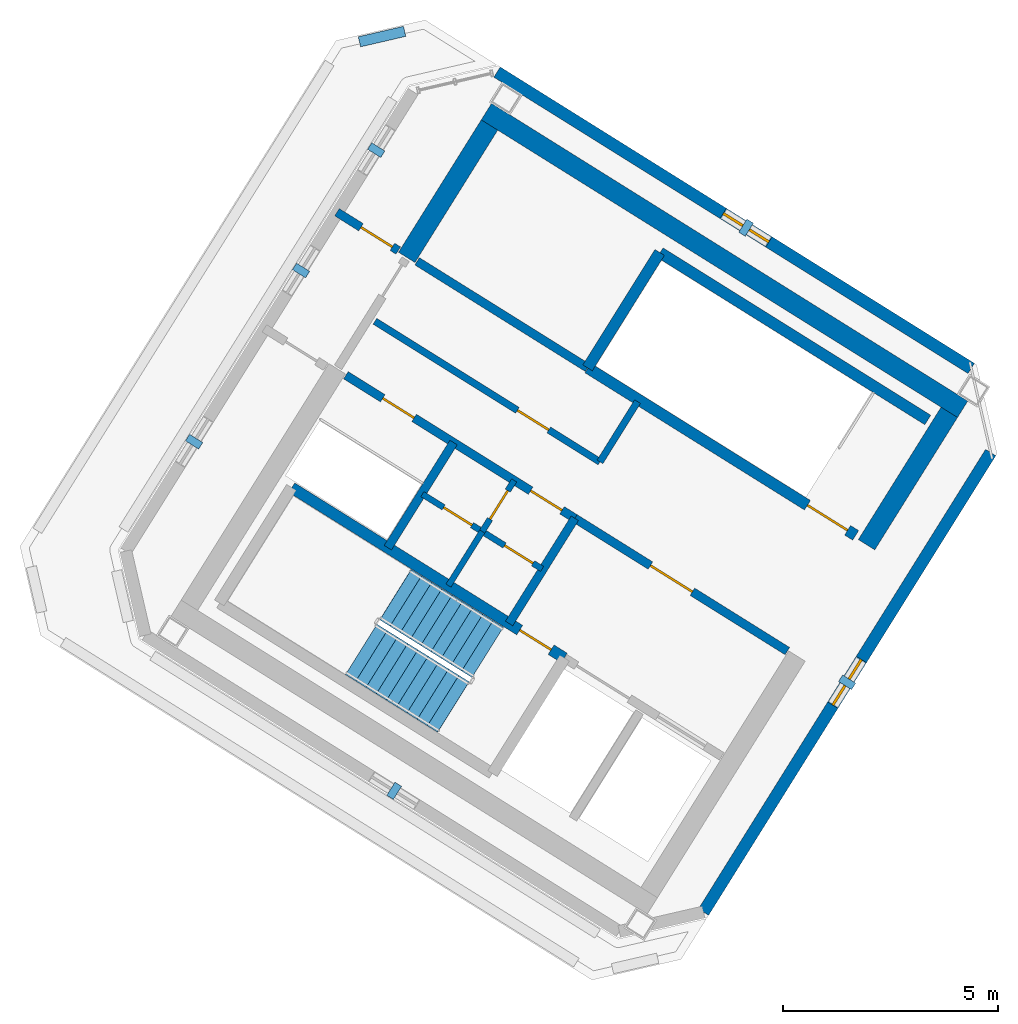
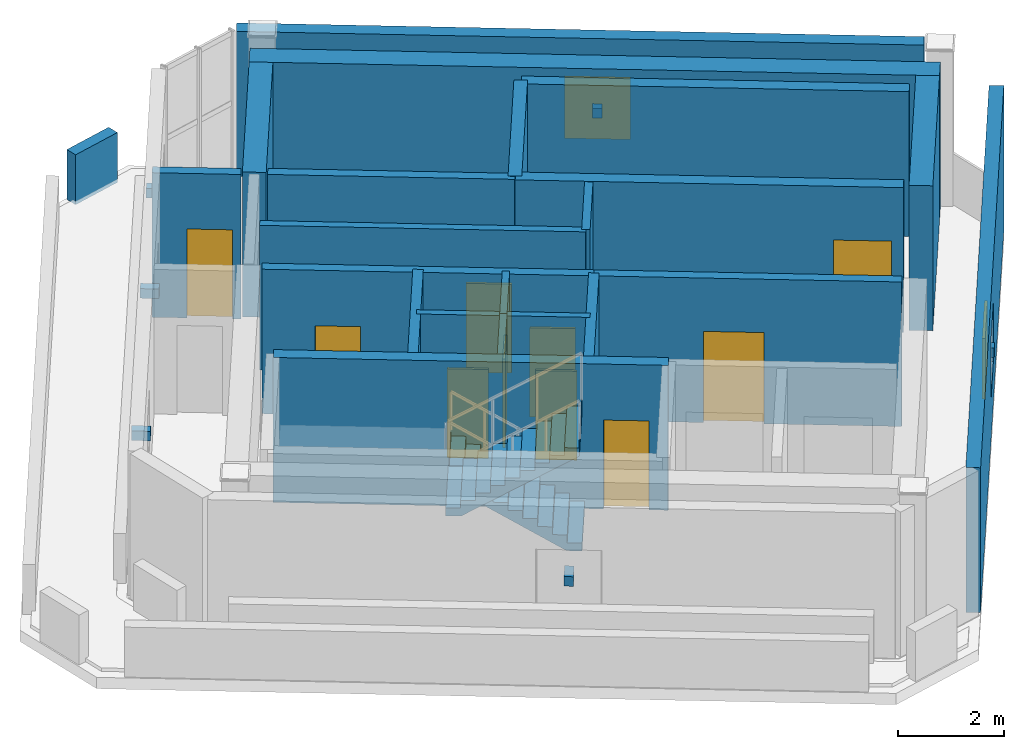
# One storey, part 4 of 5: 21 walls, 10 doors, 6 discrete accessories, 2 stair flights, 2 windows, 12 openings, 1 element without a shape of its own.
"""IFC4 building model written with IfcOpenShell, lengths in metres."""

from ifc_helpers import new_model, si_unit, direction, frame, frame_2d, origin, origin_2d, place, context, subcontext, project, spatial, polyline, rectangle, outline, extrude, source, transform, mapped, material, layer, layer_set, type_object, element, fill, aggregate, save


model = new_model("IFC4")

# Units and contexts
model_context = context("Model", 3, precision=1e-05, world=origin(), true_north=direction((0.0, 1.0)))
body_context = subcontext(model_context, "Body", "Model", "MODEL_VIEW")
ifc_project = project(units=[si_unit("LENGTHUNIT", "METRE"), si_unit("AREAUNIT", "SQUARE_METRE"), si_unit("VOLUMEUNIT", "CUBIC_METRE"), si_unit("PLANEANGLEUNIT", "RADIAN"), si_unit("MASSUNIT", "GRAM", prefix="KILO")], contexts=[model_context])

# Site, building, storey
site_placement = place(None, origin())
site = spatial("IfcSite", under=ifc_project, at=site_placement, CompositionType="ELEMENT")
building_placement = place(site_placement, origin())
building = spatial("IfcBuilding", under=site, at=building_placement, Name="Tlacorven Tower", CompositionType="ELEMENT")
storey_placement = place(building_placement, frame((0.0, 0.0, 316.800048828125)))
storey = spatial("IfcBuildingStorey", under=building, at=storey_placement, Name="L81", CompositionType="ELEMENT", Elevation=316.800048828125)

# Walls
ifc_material_1 = material(Name="Concrete C50/60", Category="concrete")
ifc_layer_1 = layer(ifc_material_1, 0.449951171875)
ifc_layer_set_1 = layer_set([ifc_layer_1], Name="Concrete C50/60")
wall_type_1 = type_object("IfcWallType", Name="WL-COR-450", PredefinedType="SHEAR", material=ifc_layer_set_1)
wall_1_placement = place(storey_placement, frame((40.53076171875, 24.036376953125, 0.0), z_axis=(0.0, 0.0, 1.0), x_axis=(-0.848048787466, 0.529918157905, 0.0)))
element("IfcWall", 1, at=wall_1_placement, inside=storey, type_object=wall_type_1, Name="L81 W core shear wall S1", PredefinedType="SHEAR", context=body_context, shape_type="SweptSolid", body=[
    extrude(rectangle(XDim=13.0400390625, YDim=0.449951171875, at=frame_2d((6.52001953125, 0.0))), origin(), (0.0, 0.0, 1.0), 3.33984375),
])
for number, where, z_axis, x_axis, name in (
    (2, (40.220703125, 23.96484375, 0.0), (0.0, 0.0, 1.0), (-0.529902075036, -0.848058836916, 0.0), "L81 W core end wall E1.1"),
    (3, (29.543701171875, 30.636474609375, 0.0), (0.0, 0.0, 1.0), (-0.529902075036, -0.848058836916, 0.0), "L81 W core end wall E2.1"),
):
    element("IfcWall", number, at=place(storey_placement, frame(where, z_axis=z_axis, x_axis=x_axis)), inside=storey, type_object=wall_type_1, Name=name, PredefinedType="SHEAR", context=body_context, shape_type="SweptSolid", body=[
        extrude(rectangle(XDim=3.625, YDim=0.449951171875, at=frame_2d((1.8125, 0.0))), origin(), (0.0, 0.0, 1.0), 3.33984375),
    ])

# Wall, opening, door
ifc_material_2 = material(Name="Gypsum plasterboard acoustic partition", Category="gypsum")
ifc_layer_2 = layer(ifc_material_2, 0.159912109375)
ifc_layer_set_2 = layer_set([ifc_layer_2], Name="Gypsum plasterboard acoustic partition")
wall_type_2 = type_object("IfcWallType", Name="WL-DEM-160", PredefinedType="PARTITIONING", material=ifc_layer_set_2)
wall_2_placement = place(storey_placement, frame((32.108154296875, 22.81396484375, 0.0), z_axis=(0.0, 0.0, 1.0), x_axis=(-0.848047283855, 0.529920564185, 0.0)))
wall_2 = element("IfcWall", 4, at=wall_2_placement, inside=storey, type_object=wall_type_2, Name="L81 partition 11", PredefinedType="PARTITIONING", context=body_context, shape_type="SweptSolid", body=[
    extrude(rectangle(XDim=6.16015625, YDim=0.159912109375, at=frame_2d((3.080078125, 0.0))), origin(), (0.0, 0.0, 1.0), 3.329833984375),
])
opening_1_placement = place(wall_2_placement, frame((1.39990234375, 0.0, 0.0)))
opening_1 = element("IfcOpeningElement", 5, at=opening_1_placement, cuts=wall_2, Name="Opening D19", PredefinedType="OPENING", context=body_context, shape_type="SweptSolid", body=[
    extrude(rectangle(XDim=0.860107421875, YDim=2.050048828125, at=frame_2d((0.43017578125, 1.02490234375))), frame((0.0, 0.08984375, 0.0), z_axis=(0.0, -1.0, 0.0), x_axis=(1.0, 0.0, 0.0)), (0.0, 0.0, 1.0), 0.179931640625),
])
ifc_material_3 = material(Name="Fire-rated steel door assembly", Category="steel")
door_type_1 = type_object("IfcDoorType", Name="DR-RSR-FD60-0860", OperationType="NOTDEFINED", PredefinedType="DOOR", material=ifc_material_3)
shared_shape_1 = source(origin(), body_context, "Body", "SweptSolid", [
    extrude(rectangle(XDim=0.860107421875, YDim=2.050048828125, at=frame_2d((0.43017578125, 1.02490234375))), frame((0.0, 0.02490234375, 0.0), z_axis=(0.0, -1.0, 0.0), x_axis=(1.0, 0.0, 0.0)), (0.0, 0.0, 1.0), 0.050048828125),
])
door_1_placement = place(opening_1_placement, origin())
door_1 = element("IfcDoor", 6, at=door_1_placement, inside=storey, type_object=door_type_1, Name="L81 Freed Core Store Door", OperationType="SINGLE_SWING_RIGHT", OverallHeight=2.050048828125, OverallWidth=0.860107421875, PredefinedType="DOOR", context=body_context, shape_type="MappedRepresentation", body=[
    mapped(shared_shape_1, transform((0.0, 0.0, 0.0), scale=1.0)),
])
fill(opening_1, door_1)

# Wall
wall_3_placement = place(storey_placement, frame((32.982421875, 24.21337890625, 0.0), z_axis=(0.0, 0.0, 1.0), x_axis=(-0.529839334948, -0.84809803628, 0.0)))
element("IfcWall", 7, at=wall_3_placement, inside=storey, type_object=wall_type_2, Name="L81 partition 12", PredefinedType="PARTITIONING", context=body_context, shape_type="SweptSolid", body=[
    extrude(rectangle(XDim=1.650146484375, YDim=0.159912109375, at=frame_2d((0.8251953125, 0.0))), origin(), (0.0, 0.0, 1.0), 3.329833984375),
])

# Wall, opening, window
ifc_material_4 = material(Name="Precast concrete C45/55", Category="concrete")
ifc_layer_3 = layer(ifc_material_4, 0.280029296875)
ifc_layer_set_3 = layer_set([ifc_layer_3], Name="Precast concrete C45/55")
wall_type_3 = type_object("IfcWallType", Name="WL-EXT-280", PredefinedType="STANDARD", material=ifc_layer_set_3)
wall_4_placement = place(storey_placement, frame((41.181640625, 23.03076171875, 0.0), z_axis=(0.0, 0.0, 1.0), x_axis=(-0.529915230318, -0.848050616813, 0.0)))
wall_4 = element("IfcWall", 8, at=wall_4_placement, inside=storey, type_object=wall_type_3, Name="L81 Masonry-Frame Recessed Facade Wall 1", PredefinedType="STANDARD", context=body_context, shape_type="SweptSolid", body=[
    extrude(rectangle(XDim=12.583984375, YDim=0.280029296875, at=frame_2d((6.2919921875, 0.0))), origin(), (0.0, 0.0, 1.0), 3.33984375),
])
opening_2_placement = place(wall_4_placement, frame((5.6669921875, 0.0, 0.949951171875)))
opening_2 = element("IfcOpeningElement", 9, at=opening_2_placement, cuts=wall_4, Name="Opening WN20", PredefinedType="OPENING", context=body_context, shape_type="SweptSolid", body=[
    extrude(rectangle(XDim=1.25, YDim=1.39990234375, at=frame_2d((0.625, 0.699951171875))), frame((0.0, 0.14990234375, 0.0), z_axis=(0.0, -1.0, 0.0), x_axis=(1.0, 0.0, 0.0)), (0.0, 0.0, 1.0), 0.300048828125),
])
ifc_material_5 = material(Name="Dark solar low-E double glazing in anodised aluminium frame", Category="aluminium")
window_type = type_object("IfcWindowType", Name="WN-CRN-1250X1500", PartitioningType="SINGLE_PANEL", PredefinedType="WINDOW", material=ifc_material_5)
shared_shape_2 = source(origin(), body_context, "Body", "SweptSolid", [
    extrude(rectangle(XDim=1.25, YDim=1.39990234375, at=frame_2d((0.625, 0.699951171875))), frame((0.0, 0.030029296875, 0.0), z_axis=(0.0, -1.0, 0.0), x_axis=(1.0, 0.0, 0.0)), (0.0, 0.0, 1.0), 0.06005859375),
])
window_1_placement = place(opening_2_placement, origin())
window_1 = element("IfcWindow", 10, at=window_1_placement, inside=storey, type_object=window_type, Name="L81 Acoustic Plant Facade Window 1.1", OverallHeight=1.39990234375, OverallWidth=1.25, PartitioningType="SINGLE_PANEL", PredefinedType="WINDOW", context=body_context, shape_type="MappedRepresentation", body=[
    mapped(shared_shape_2, transform((0.0, 0.0, 0.0), scale=1.0)),
])
fill(opening_2, window_1)

wall_5_placement = place(storey_placement, frame((29.719482421875, 31.864990234375, 0.0), z_axis=(0.0, 0.0, 1.0), x_axis=(0.848050062002, -0.529916118209, 0.0)))
wall_5 = element("IfcWall", 11, at=wall_5_placement, inside=storey, type_object=wall_type_3, Name="L81 Masonry-Frame Recessed Facade Wall 6", PredefinedType="STANDARD", context=body_context, shape_type="SweptSolid", body=[
    extrude(rectangle(XDim=12.98388671875, YDim=0.280029296875, at=frame_2d((6.491943359375, 0.0))), origin(), (0.0, 0.0, 1.0), 3.33984375),
])
opening_3_placement = place(wall_5_placement, frame((6.193115234375, 0.0, 0.949951171875)))
opening_3 = element("IfcOpeningElement", 12, at=opening_3_placement, cuts=wall_5, Name="Opening WN20", PredefinedType="OPENING", context=body_context, shape_type="SweptSolid", body=[
    extrude(rectangle(XDim=1.25, YDim=1.39990234375, at=frame_2d((0.625, 0.699951171875))), frame((0.0, 0.14990234375, 0.0), z_axis=(0.0, -1.0, 0.0), x_axis=(1.0, 0.0, 0.0)), (0.0, 0.0, 1.0), 0.300048828125),
])
window_2_placement = place(opening_3_placement, origin())
window_2 = element("IfcWindow", 13, at=window_2_placement, inside=storey, type_object=window_type, Name="L81 Acoustic Plant Facade Window 6.1", OverallHeight=1.39990234375, OverallWidth=1.25, PartitioningType="SINGLE_PANEL", PredefinedType="WINDOW", context=body_context, shape_type="MappedRepresentation", body=[
    mapped(shared_shape_2, transform((0.0, 0.0, 0.0), scale=1.0)),
])
fill(opening_3, window_2)

# Wall
ifc_layer_4 = layer(ifc_material_4, 0.239990234375)
ifc_layer_set_4 = layer_set([ifc_layer_4], Name="Precast concrete C45/55")
wall_type_4 = type_object("IfcWallType", Name="WL-PAR-240", PredefinedType="PARAPET", material=ifc_layer_set_4)
wall_6_placement = place(storey_placement, frame((26.52392578125, 32.568359375, 0.0), z_axis=(0.0, 0.0, 1.0), x_axis=(0.974345337206, 0.225058134414, 0.0)))
element("IfcWall", 14, at=wall_6_placement, inside=storey, type_object=wall_type_4, Name="L81 Stepped Crown Terrace Parapet 1 5", PredefinedType="PARAPET", context=body_context, shape_type="SweptSolid", body=[
    extrude(rectangle(XDim=1.0771484375, YDim=0.239990234375, at=frame_2d((0.53857421875, 0.0))), origin(), (0.0, 0.0, 1.0), 1.14990234375),
])

# Wall, opening, door
ifc_material_6 = material(Name="Moisture-resistant gypsum plumbing wall", Category="gypsum")
ifc_layer_5 = layer(ifc_material_6, 0.139892578125)
ifc_layer_set_5 = layer_set([ifc_layer_5], Name="Moisture-resistant gypsum plumbing wall")
wall_type_5 = type_object("IfcWallType", Name="WL-PLM-140", PredefinedType="PLUMBINGWALL", material=ifc_layer_set_5)
wall_7_placement = place(storey_placement, frame((30.117431640625, 22.383544921875, 0.0), z_axis=(0.0, 0.0, 1.0), x_axis=(-0.529951914384, -0.848027693204, 0.0)))
wall_7 = element("IfcWall", 15, at=wall_7_placement, inside=storey, type_object=wall_type_5, Name="L81 partition 17", PredefinedType="PLUMBINGWALL", context=body_context, shape_type="SweptSolid", body=[
    extrude(rectangle(XDim=1.39990234375, YDim=0.139892578125, at=frame_2d((0.699951171875, 0.0))), origin(), (0.0, 0.0, 1.0), 3.329833984375),
])
opening_4_placement = place(wall_7_placement, frame((0.280029296875, 0.0, 0.0)))
opening_4 = element("IfcOpeningElement", 16, at=opening_4_placement, cuts=wall_7, Name="Opening D22", PredefinedType="OPENING", context=body_context, shape_type="SweptSolid", body=[
    extrude(rectangle(XDim=0.780029296875, YDim=2.050048828125, at=frame_2d((0.39013671875, 1.02490234375))), frame((0.0, 0.080078125, 0.0), z_axis=(0.0, -1.0, 0.0), x_axis=(1.0, 0.0, 0.0)), (0.0, 0.0, 1.0), 0.159912109375),
])
ifc_material_7 = material(Name="Powder-coated aluminium and timber door", Category="wood")
door_type_2 = type_object("IfcDoorType", Name="DR-INT-WET-0780", OperationType="NOTDEFINED", PredefinedType="DOOR", material=ifc_material_7)
shared_shape_3 = source(origin(), body_context, "Body", "SweptSolid", [
    extrude(rectangle(XDim=0.780029296875, YDim=2.050048828125, at=frame_2d((0.39013671875, 1.02490234375))), frame((0.0, 0.02490234375, 0.0), z_axis=(0.0, -1.0, 0.0), x_axis=(1.0, 0.0, 0.0)), (0.0, 0.0, 1.0), 0.050048828125),
])
door_2_placement = place(opening_4_placement, origin())
door_2 = element("IfcDoor", 17, at=door_2_placement, inside=storey, type_object=door_type_2, Name="L81 door 009", OperationType="SINGLE_SWING_LEFT", OverallHeight=2.050048828125, OverallWidth=0.780029296875, PredefinedType="DOOR", context=body_context, shape_type="MappedRepresentation", body=[
    mapped(shared_shape_3, transform((0.0, 0.0, 0.0), scale=1.0)),
])
fill(opening_4, door_2)

# Wall
wall_8_placement = place(storey_placement, frame((29.37548828125, 21.1962890625, 0.0), z_axis=(0.0, 0.0, 1.0), x_axis=(-0.529865479138, -0.848081702443, 0.0)))
element("IfcWall", 18, at=wall_8_placement, inside=storey, type_object=wall_type_5, Name="L81 partition 18", PredefinedType="PLUMBINGWALL", context=body_context, shape_type="SweptSolid", body=[
    extrude(rectangle(XDim=1.47998046875, YDim=0.139892578125, at=frame_2d((0.739990234375, 0.0))), origin(), (0.0, 0.0, 1.0), 3.329833984375),
])

# Wall, openings, doors
wall_9_placement = place(storey_placement, frame((30.766357421875, 20.3271484375, 0.0), z_axis=(0.0, 0.0, 1.0), x_axis=(-0.848052663127, 0.529911955482, 0.0)))
wall_9 = element("IfcWall", 19, at=wall_9_placement, inside=storey, type_object=wall_type_5, Name="L81 partition 19", PredefinedType="PLUMBINGWALL", context=body_context, shape_type="SweptSolid", body=[
    extrude(rectangle(XDim=3.27978515625, YDim=0.139892578125, at=frame_2d((1.639892578125, 0.0))), origin(), (0.0, 0.0, 1.0), 3.329833984375),
])
opening_5_placement = place(wall_9_placement, frame((0.25, 0.0, 0.0)))
opening_5 = element("IfcOpeningElement", 20, at=opening_5_placement, cuts=wall_9, Name="Opening D22", PredefinedType="OPENING", context=body_context, shape_type="SweptSolid", body=[
    extrude(rectangle(XDim=0.780029296875, YDim=2.050048828125, at=frame_2d((0.39013671875, 1.02490234375))), frame((0.0, 0.080078125, 0.0), z_axis=(0.0, -1.0, 0.0), x_axis=(1.0, 0.0, 0.0)), (0.0, 0.0, 1.0), 0.159912109375),
])
opening_6_placement = place(wall_9_placement, frame((1.919921875, 0.0, 0.0)))
opening_6 = element("IfcOpeningElement", 21, at=opening_6_placement, cuts=wall_9, Name="Opening D22", PredefinedType="OPENING", context=body_context, shape_type="SweptSolid", body=[
    extrude(rectangle(XDim=0.780029296875, YDim=2.050048828125, at=frame_2d((0.39013671875, 1.02490234375))), frame((0.0, 0.080078125, 0.0), z_axis=(0.0, -1.0, 0.0), x_axis=(1.0, 0.0, 0.0)), (0.0, 0.0, 1.0), 0.159912109375),
])
door_3_placement = place(opening_5_placement, origin())
door_3 = element("IfcDoor", 22, at=door_3_placement, inside=storey, type_object=door_type_2, Name="L81 door 010", OperationType="SINGLE_SWING_RIGHT", OverallHeight=2.050048828125, OverallWidth=0.780029296875, PredefinedType="DOOR", context=body_context, shape_type="MappedRepresentation", body=[
    mapped(shared_shape_3, transform((0.0, 0.0, 0.0), scale=1.0)),
])
fill(opening_5, door_3)
door_4_placement = place(opening_6_placement, origin())
door_4 = element("IfcDoor", 23, at=door_4_placement, inside=storey, type_object=door_type_2, Name="L81 door 011", OperationType="SINGLE_SWING_LEFT", OverallHeight=2.050048828125, OverallWidth=0.780029296875, PredefinedType="DOOR", context=body_context, shape_type="MappedRepresentation", body=[
    mapped(shared_shape_3, transform((0.0, 0.0, 0.0), scale=1.0)),
])
fill(opening_6, door_4)

# Wall, opening, door
ifc_material_8 = material(Name="Concrete C40/50", Category="concrete")
ifc_layer_6 = layer(ifc_material_8, 0.199951171875)
ifc_layer_set_6 = layer_set([ifc_layer_6], Name="Concrete C40/50")
wall_type_6 = type_object("IfcWallType", Name="WL-SHF-200", PredefinedType="STANDARD", material=ifc_layer_set_6)
wall_10_placement = place(storey_placement, frame((36.459228515625, 18.420654296875, 0.0), z_axis=(0.0, 0.0, 1.0), x_axis=(-0.848059591691, 0.529900867089, 0.0)))
wall_10 = element("IfcWall", 24, at=wall_10_placement, inside=storey, type_object=wall_type_6, Name="L81 Core W Smoke Lobby Wall", PredefinedType="STANDARD", context=body_context, shape_type="SweptSolid", body=[
    extrude(rectangle(XDim=5.818115234375, YDim=0.199951171875, at=frame_2d((2.9091796875, 0.0))), origin(), (0.0, 0.0, 1.0), 3.329833984375),
])
opening_7_placement = place(wall_10_placement, frame((2.597900390625, 0.0, 0.0)))
opening_7 = element("IfcOpeningElement", 25, at=opening_7_placement, cuts=wall_10, Name="Opening D09", PredefinedType="OPENING", context=body_context, shape_type="SweptSolid", body=[
    extrude(rectangle(XDim=1.14990234375, YDim=2.10009765625, at=frame_2d((0.574951171875, 1.050048828125))), frame((0.0, 0.10986328125, 0.0), z_axis=(0.0, -1.0, 0.0), x_axis=(1.0, 0.0, 0.0)), (0.0, 0.0, 1.0), 0.219970703125),
])
door_type_3 = type_object("IfcDoorType", Name="DR-FFL-FD60-1150", OperationType="NOTDEFINED", PredefinedType="DOOR", material=ifc_material_3)
shared_shape_4 = source(origin(), body_context, "Body", "SweptSolid", [
    extrude(rectangle(XDim=1.14990234375, YDim=2.10009765625, at=frame_2d((0.574951171875, 1.050048828125))), frame((0.0, 0.02490234375, 0.0), z_axis=(0.0, -1.0, 0.0), x_axis=(1.0, 0.0, 0.0)), (0.0, 0.0, 1.0), 0.050048828125),
])
door_5_placement = place(opening_7_placement, origin())
door_5 = element("IfcDoor", 26, at=door_5_placement, inside=storey, type_object=door_type_3, Name="L81 Firefighting Lobby W Fire Door", OperationType="SINGLE_SWING_RIGHT", OverallHeight=2.10009765625, OverallWidth=1.14990234375, PredefinedType="DOOR", context=body_context, shape_type="MappedRepresentation", body=[
    mapped(shared_shape_4, transform((0.0, 0.0, 0.0), scale=1.0)),
])
fill(opening_7, door_5)

# Walls
wall_11_placement = place(storey_placement, frame((31.82177734375, 24.99755859375, 0.0), z_axis=(0.0, 0.0, 1.0), x_axis=(-0.848054125777, 0.529909614701, 0.0)))
element("IfcWall", 27, at=wall_11_placement, inside=storey, type_object=wall_type_6, Name="L81 Core W South Lift Shaft Wall", PredefinedType="STANDARD", context=body_context, shape_type="SweptSolid", body=[
    extrude(rectangle(XDim=4.66796875, YDim=0.199951171875, at=frame_2d((2.333984375, 0.0))), origin(), (0.0, 0.0, 1.0), 3.329833984375),
])
for number, where, z_axis, x_axis, name in (
    (28, (31.525146484375, 21.503662109375, 0.0), (0.0, 0.0, 1.0), (-0.529907497854, -0.848055448493, 0.0), "L81 partition 14"),
    (29, (28.709716796875, 23.26318359375, 0.0), (0.0, 0.0, 1.0), (-0.529907497854, -0.848055448493, 0.0), "L81 partition 15"),
):
    element("IfcWall", number, at=place(storey_placement, frame(where, z_axis=z_axis, x_axis=x_axis)), inside=storey, type_object=wall_type_6, Name=name, PredefinedType="STANDARD", context=body_context, shape_type="SweptSolid", body=[
        extrude(rectangle(XDim=2.8798828125, YDim=0.199951171875, at=frame_2d((1.43994140625, 0.0))), origin(), (0.0, 0.0, 1.0), 3.329833984375),
    ])

# Wall, openings, doors
wall_12_placement = place(storey_placement, frame((31.525146484375, 21.503662109375, 0.0), z_axis=(0.0, 0.0, 1.0), x_axis=(-0.848042066329, 0.529928913853, 0.0)))
wall_12 = element("IfcWall", 30, at=wall_12_placement, inside=storey, type_object=wall_type_6, Name="L81 Core W North Service Wall", PredefinedType="STANDARD", context=body_context, shape_type="SweptSolid", body=[
    extrude(rectangle(XDim=6.267822265625, YDim=0.199951171875, at=frame_2d((3.1337890625, 0.0))), origin(), (0.0, 0.0, 1.0), 3.329833984375),
])
opening_8_placement = place(wall_12_placement, frame((4.39990234375, 0.0, 0.0)))
opening_8 = element("IfcOpeningElement", 31, at=opening_8_placement, cuts=wall_12, Name="Opening D19", PredefinedType="OPENING", context=body_context, shape_type="SweptSolid", body=[
    extrude(rectangle(XDim=0.860107421875, YDim=2.050048828125, at=frame_2d((0.43017578125, 1.02490234375))), frame((0.0, 0.10986328125, 0.0), z_axis=(0.0, -1.0, 0.0), x_axis=(1.0, 0.0, 0.0)), (0.0, 0.0, 1.0), 0.219970703125),
])
opening_9_placement = place(wall_12_placement, frame((0.35009765625, 0.0, 0.0)))
opening_9 = element("IfcOpeningElement", 32, at=opening_9_placement, cuts=wall_12, Name="Opening D19", PredefinedType="OPENING", context=body_context, shape_type="SweptSolid", body=[
    extrude(rectangle(XDim=0.860107421875, YDim=2.050048828125, at=frame_2d((0.43017578125, 1.02490234375))), frame((0.0, 0.10986328125, 0.0), z_axis=(0.0, -1.0, 0.0), x_axis=(1.0, 0.0, 0.0)), (0.0, 0.0, 1.0), 0.219970703125),
])
door_6_placement = place(opening_8_placement, frame((0.860107421875, 0.0, 0.0), z_axis=(0.0, 0.0, 1.0), x_axis=(-1.0, 0.0, 0.0)))
door_6 = element("IfcDoor", 33, at=door_6_placement, inside=storey, type_object=door_type_1, Name="L81 Electrical Riser Access Door W", OperationType="SINGLE_SWING_LEFT", OverallHeight=2.050048828125, OverallWidth=0.860107421875, PredefinedType="DOOR", context=body_context, shape_type="MappedRepresentation", body=[
    mapped(shared_shape_1, transform((0.0, 0.0, 0.0), scale=1.0)),
])
fill(opening_8, door_6)
door_7_placement = place(opening_9_placement, frame((0.860107421875, 0.0, 0.0), z_axis=(0.0, 0.0, 1.0), x_axis=(-1.0, 0.0, 0.0)))
door_7 = element("IfcDoor", 34, at=door_7_placement, inside=storey, type_object=door_type_1, Name="L81 Cleaning Room Access Door W", OperationType="SINGLE_SWING_RIGHT", OverallHeight=2.050048828125, OverallWidth=0.860107421875, PredefinedType="DOOR", context=body_context, shape_type="MappedRepresentation", body=[
    mapped(shared_shape_1, transform((0.0, 0.0, 0.0), scale=1.0)),
])
fill(opening_9, door_7)

# Wall, opening, door
wall_13_placement = place(storey_placement, frame((27.425048828125, 27.721435546875, 0.0), z_axis=(0.0, 0.0, 1.0), x_axis=(-0.84807185912, 0.529881233645, 0.0)))
wall_13 = element("IfcWall", 35, at=wall_13_placement, inside=storey, type_object=wall_type_6, Name="L81 partition 22", PredefinedType="STANDARD", context=body_context, shape_type="SweptSolid", body=[
    extrude(rectangle(XDim=1.677978515625, YDim=0.199951171875, at=frame_2d((0.8388671875, 0.0))), origin(), (0.0, 0.0, 1.0), 3.329833984375),
])
opening_10_placement = place(wall_13_placement, frame((0.159912109375, 0.0, 0.0)))
opening_10 = element("IfcOpeningElement", 36, at=opening_10_placement, cuts=wall_13, Name="Opening D19", PredefinedType="OPENING", context=body_context, shape_type="SweptSolid", body=[
    extrude(rectangle(XDim=0.860107421875, YDim=2.050048828125, at=frame_2d((0.43017578125, 1.02490234375))), frame((0.0, 0.10986328125, 0.0), z_axis=(0.0, -1.0, 0.0), x_axis=(1.0, 0.0, 0.0)), (0.0, 0.0, 1.0), 0.219970703125),
])
door_8_placement = place(opening_10_placement, frame((0.860107421875, 0.0, 0.0), z_axis=(0.0, 0.0, 1.0), x_axis=(-1.0, 0.0, 0.0)))
door_8 = element("IfcDoor", 37, at=door_8_placement, inside=storey, type_object=door_type_1, Name="L81 door 014", OperationType="SINGLE_SWING_LEFT", OverallHeight=2.050048828125, OverallWidth=0.860107421875, PredefinedType="DOOR", context=body_context, shape_type="MappedRepresentation", body=[
    mapped(shared_shape_1, transform((0.0, 0.0, 0.0), scale=1.0)),
])
fill(opening_10, door_8)

ifc_layer_7 = layer(ifc_material_1, 0.260009765625)
ifc_layer_set_7 = layer_set([ifc_layer_7], Name="Concrete C50/60")
wall_type_7 = type_object("IfcWallType", Name="WL-STW-260", PredefinedType="SHEAR", material=ifc_layer_set_7)
wall_14_placement = place(storey_placement, frame((31.279541015625, 18.26123046875, 0.0), z_axis=(0.0, 0.0, 1.0), x_axis=(-0.848051618787, 0.529913626805, 0.0)))
wall_14 = element("IfcWall", 38, at=wall_14_placement, inside=storey, type_object=wall_type_7, Name="L81 Stair W1 Lobby Shear Wall", PredefinedType="SHEAR", context=body_context, shape_type="SweptSolid", body=[
    extrude(rectangle(XDim=7.4599609375, YDim=0.260009765625, at=frame_2d((3.72998046875, 0.0))), origin(), (0.0, 0.0, 1.0), 3.33984375),
])
opening_11_placement = place(wall_14_placement, frame((0.360107421875, 0.0, 0.0)))
opening_11 = element("IfcOpeningElement", 39, at=opening_11_placement, cuts=wall_14, Name="Opening D19", PredefinedType="OPENING", context=body_context, shape_type="SweptSolid", body=[
    extrude(rectangle(XDim=0.860107421875, YDim=2.050048828125, at=frame_2d((0.43017578125, 1.02490234375))), frame((0.0, 0.14013671875, 0.0), z_axis=(0.0, -1.0, 0.0), x_axis=(1.0, 0.0, 0.0)), (0.0, 0.0, 1.0), 0.280029296875),
])
door_9_placement = place(opening_11_placement, frame((0.860107421875, 0.0, 0.0), z_axis=(0.0, 0.0, 1.0), x_axis=(-1.0, 0.0, 0.0)))
door_9 = element("IfcDoor", 40, at=door_9_placement, inside=storey, type_object=door_type_1, Name="L81 Exit Stair W1 Fire Door", OperationType="SINGLE_SWING_LEFT", OverallHeight=2.050048828125, OverallWidth=0.860107421875, PredefinedType="DOOR", context=body_context, shape_type="MappedRepresentation", body=[
    mapped(shared_shape_1, transform((0.0, 0.0, 0.0), scale=1.0)),
])
fill(opening_11, door_9)

# Wall
wall_15_placement = place(storey_placement, frame((39.720947265625, 23.787841796875, 0.0), z_axis=(0.0, 0.0, 1.0), x_axis=(-0.848054434086, 0.529909121291, 0.0)))
element("IfcWall", 41, at=wall_15_placement, inside=storey, type_object=wall_type_7, Name="L81 Stair W2 Far Shear Wall", PredefinedType="SHEAR", context=body_context, shape_type="SweptSolid", body=[
    extrude(rectangle(XDim=7.330078125, YDim=0.260009765625, at=frame_2d((3.6650390625, 0.0))), origin(), (0.0, 0.0, 1.0), 3.33984375),
])

# Wall, opening, door
wall_16_placement = place(storey_placement, frame((38.04638671875, 21.10791015625, 0.0), z_axis=(0.0, 0.0, 1.0), x_axis=(-0.848054434086, 0.529909121291, 0.0)))
wall_16 = element("IfcWall", 42, at=wall_16_placement, inside=storey, type_object=wall_type_7, Name="L81 Stair W2 Lobby Shear Wall", PredefinedType="SHEAR", context=body_context, shape_type="SweptSolid", body=[
    extrude(rectangle(XDim=7.330078125, YDim=0.260009765625, at=frame_2d((3.6650390625, 0.0))), origin(), (0.0, 0.0, 1.0), 3.33984375),
])
opening_12_placement = place(wall_16_placement, frame((0.219970703125, 0.0, 0.0)))
opening_12 = element("IfcOpeningElement", 43, at=opening_12_placement, cuts=wall_16, Name="Opening D07", PredefinedType="OPENING", context=body_context, shape_type="SweptSolid", body=[
    extrude(rectangle(XDim=1.10009765625, YDim=2.10009765625, at=frame_2d((0.550048828125, 1.050048828125))), frame((0.0, 0.14013671875, 0.0), z_axis=(0.0, -1.0, 0.0), x_axis=(1.0, 0.0, 0.0)), (0.0, 0.0, 1.0), 0.280029296875),
])
door_type_4 = type_object("IfcDoorType", Name="DR-STR-FD90-1100", OperationType="NOTDEFINED", PredefinedType="DOOR", material=ifc_material_3)
shared_shape_5 = source(origin(), body_context, "Body", "SweptSolid", [
    extrude(rectangle(XDim=1.10009765625, YDim=2.10009765625, at=frame_2d((0.550048828125, 1.050048828125))), frame((0.0, 0.02490234375, 0.0), z_axis=(0.0, -1.0, 0.0), x_axis=(1.0, 0.0, 0.0)), (0.0, 0.0, 1.0), 0.050048828125),
])
door_10_placement = place(opening_12_placement, origin())
door_10 = element("IfcDoor", 44, at=door_10_placement, inside=storey, type_object=door_type_4, Name="L81 Exit Stair W2 Fire Door", OperationType="SINGLE_SWING_LEFT", OverallHeight=2.10009765625, OverallWidth=1.10009765625, PredefinedType="DOOR", context=body_context, shape_type="MappedRepresentation", body=[
    mapped(shared_shape_5, transform((0.0, 0.0, 0.0), scale=1.0)),
])
fill(opening_12, door_10)

# Wall
wall_17_placement = place(storey_placement, frame((33.496337890625, 27.677490234375, 0.0), z_axis=(0.0, 0.0, 1.0), x_axis=(-0.529908658664, -0.84805472316, 0.0)))
element("IfcWall", 45, at=wall_17_placement, inside=storey, type_object=wall_type_7, Name="L81 Stair W2 East Shear Wall", PredefinedType="SHEAR", context=body_context, shape_type="SweptSolid", body=[
    extrude(rectangle(XDim=3.16015625, YDim=0.260009765625, at=frame_2d((1.580078125, 0.0))), origin(), (0.0, 0.0, 1.0), 3.33984375),
])

# Stair, stair flights
stair_type = type_object("IfcStairType", Name="ST-CORE-DLG", PredefinedType="HALF_TURN_STAIR", material=ifc_material_8)
stair_placement = place(storey_placement, origin())
stair = element("IfcStair", 46, at=stair_placement, inside=storey, type_object=stair_type, Name="L81 Protected Exit Stair West 1", PredefinedType="HALF_TURN_STAIR")
stair_flight_type = type_object("IfcStairFlightType", Name="SFL-RC-1380", PredefinedType="STRAIGHT", material=ifc_material_8)
shared_shape_6 = source(origin(), body_context, "Body", "SweptSolid", [
    extrude(outline(polyline([(-0.0029296875, -0.0029296875), (-0.0029296875, 0.179931640625), (0.280029296875, 0.179931640625), (0.280029296875, 0.360107421875), (0.56005859375, 0.360107421875), (0.56005859375, 0.5400390625), (0.840087890625, 0.5400390625), (0.840087890625, 0.719970703125), (1.1201171875, 0.719970703125), (1.1201171875, 0.89990234375), (1.39990234375, 0.89990234375), (1.39990234375, 1.080078125), (1.679931640625, 1.080078125), (1.679931640625, 1.260009765625), (1.9599609375, 1.260009765625), (1.9599609375, 1.43994140625), (2.239990234375, 1.43994140625), (2.239990234375, 1.6201171875), (2.52001953125, 1.6201171875), (2.52001953125, 1.800048828125), (2.52294921875, 1.800048828125), (2.52294921875, 1.429931640625), (2.52001953125, 1.429931640625), (0.295654296875, 0.0), (0.295654296875, -0.0029296875), (-0.0029296875, -0.0029296875)])), frame((0.0, 0.68994140625, 0.0), z_axis=(0.0, -1.0, 0.0), x_axis=(1.0, 0.0, 0.0)), (0.0, 0.0, 1.0), 1.3798828125),
])
stair_flight_1_placement = place(storey_placement, frame((29.499755859375, 18.39453125, 0.0), z_axis=(0.0, 0.0, 1.0), x_axis=(-0.848048096156, 0.529919264233, 0.0)))
stair_flight_1 = element("IfcStairFlight", 47, at=stair_flight_1_placement, type_object=stair_flight_type, Name="ST-W1 flight 1", NumberOfRisers=10, NumberOfTreads=9, PredefinedType="STRAIGHT", RiserHeight=0.18, TreadLength=0.28, context=body_context, shape_type="MappedRepresentation", body=[
    mapped(shared_shape_6, transform((0.0, 0.0, 0.0), scale=1.0)),
])
stair_flight_2_placement = place(storey_placement, frame((26.56787109375, 18.4580078125, 1.800048828125), z_axis=(0.0, 0.0, 1.0), x_axis=(0.848048096156, -0.529919264233, 0.0)))
stair_flight_2 = element("IfcStairFlight", 48, at=stair_flight_2_placement, type_object=stair_flight_type, Name="ST-W1 flight 2", NumberOfRisers=10, NumberOfTreads=9, PredefinedType="STRAIGHT", RiserHeight=0.18, TreadLength=0.28, context=body_context, shape_type="MappedRepresentation", body=[
    mapped(shared_shape_6, transform((0.0, 0.0, 0.0), scale=1.0)),
])
aggregate(stair, [stair_flight_1, stair_flight_2])

# Discrete accessories
ifc_material_9 = material(Name="Steel S355J2", Category="steel")
discrete_accessory_type = type_object("IfcDiscreteAccessoryType", Name="ACC-BRK-01", PredefinedType="BRACKET", material=ifc_material_9)
shared_shape_7 = source(origin(), body_context, "Body", "SweptSolid", [
    extrude(rectangle(XDim=0.179931640625, YDim=0.360107421875, at=origin_2d()), origin(), (0.0, 0.0, 1.0), 0.219970703125),
])
for number, where, z_axis, x_axis, name in (
    (49, (37.847412109375, 17.69482421875, 1.5400390625), (0.0, 0.0, 1.0), (-0.529918675781, -0.848048463862, 0.0), "L81 Louvre Fixing Bracket 1.1"),
    (50, (27.330078125, 15.17529296875, 1.5400390625), (0.0, 0.0, 1.0), (-0.848048175891, 0.529919136632, 0.0), "L81 Louvre Fixing Bracket 3.1"),
    (51, (22.6845703125, 23.282958984375, 1.5400390625), (0.0, 0.0, 1.0), (0.529919595929, 0.84804788889, 0.0), "L81 Louvre Fixing Bracket 5.1"),
    (52, (25.16796875, 27.2568359375, 1.5400390625), (0.0, 0.0, 1.0), (0.529919595929, 0.84804788889, 0.0), "L81 Louvre Fixing Bracket 5.2"),
    (53, (26.91455078125, 30.052001953125, 1.5400390625), (0.0, 0.0, 1.0), (0.529919595929, 0.84804788889, 0.0), "L81 Louvre Fixing Bracket 5.3"),
    (54, (35.50146484375, 28.252197265625, 1.5400390625), (0.0, 0.0, 1.0), (0.848048175891, -0.529919136632, 0.0), "L81 Louvre Fixing Bracket 6.1"),
):
    element("IfcDiscreteAccessory", number, at=place(storey_placement, frame(where, z_axis=z_axis, x_axis=x_axis)), inside=storey, type_object=discrete_accessory_type, Name=name, PredefinedType="BRACKET", context=body_context, shape_type="MappedRepresentation", body=[
        mapped(shared_shape_7, transform((0.0, 0.0, 0.0), scale=1.0)),
    ])

save(model, "model.ifc")
